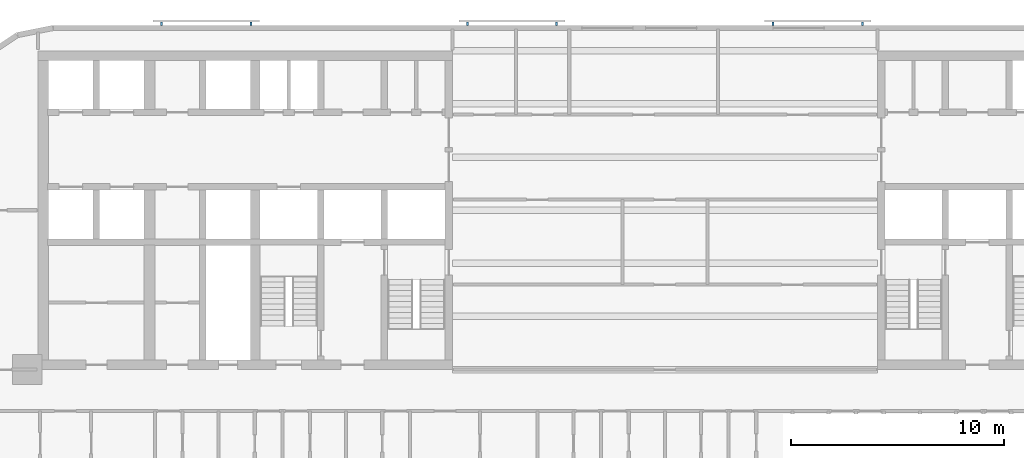
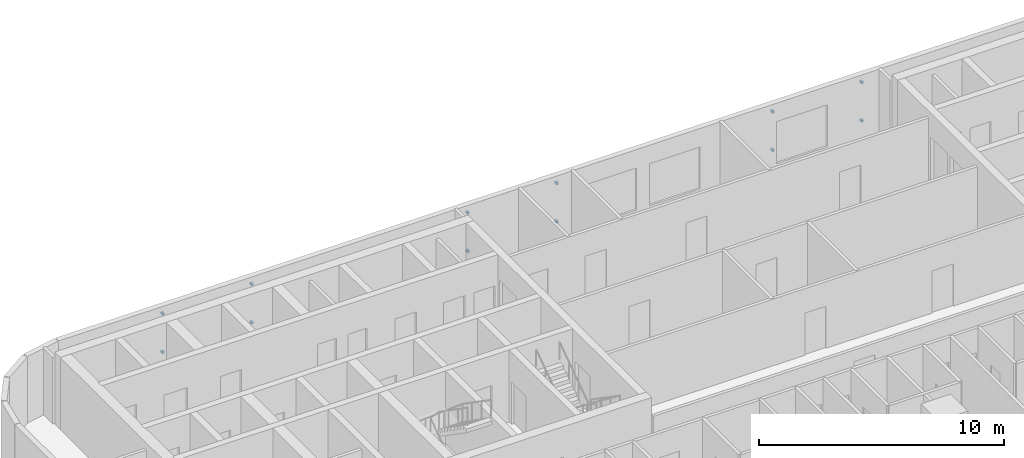
# One storey, part 11 of 15: 12 discrete accessories.
"""IFC4 building model written with IfcOpenShell, lengths in metres."""

from ifc_helpers import new_model, si_unit, direction, frame, origin, origin_2d, place, context, subcontext, project, spatial, rectangle, extrude, material, type_object, element, save


model = new_model("IFC4")

# Units and contexts
model_context = context("Model", 3, precision=1e-05, world=origin(), true_north=direction((0.0, 1.0)))
body_context = subcontext(model_context, "Body", "Model", "MODEL_VIEW")
ifc_project = project(units=[si_unit("LENGTHUNIT", "METRE"), si_unit("AREAUNIT", "SQUARE_METRE"), si_unit("VOLUMEUNIT", "CUBIC_METRE"), si_unit("PLANEANGLEUNIT", "RADIAN"), si_unit("MASSUNIT", "GRAM", prefix="KILO")], contexts=[model_context])

# Site, building, storey
site_placement = place(None, origin())
site = spatial("IfcSite", under=ifc_project, at=site_placement, CompositionType="ELEMENT")
building_placement = place(site_placement, origin())
building = spatial("IfcBuilding", under=site, at=building_placement, Name="Torana Hotel and Residences", CompositionType="ELEMENT")
storey_placement = place(building_placement, frame((0.0, 0.0, 27.60009765625)))
storey = spatial("IfcBuildingStorey", under=building, at=storey_placement, Name="L05", CompositionType="ELEMENT", Elevation=27.60009765625)

# Discrete accessories
ifc_material = material(Name="Steel S355", Category="steel")
discrete_accessory_type = type_object("IfcDiscreteAccessoryType", Name="SCREEN BRACKET 100", PredefinedType="BRACKET", material=ifc_material)
for number, where, z_axis, x_axis, name in (
    (1, (9.293701171875, 1.27490234375, 0.749755859375), (0.0, 0.0, 1.0), (-1.0, 0.0, 0.0), "Screen bracket L05"),
    (2, (9.293701171875, 1.27490234375, 2.669921875), (0.0, 0.0, 1.0), (-1.0, 0.0, 0.0), "Screen bracket L05"),
    (3, (5.09375, 1.27490234375, 0.749755859375), (0.0, 0.0, 1.0), (-1.0, 0.0, 0.0), "Screen bracket L05"),
    (4, (5.09375, 1.27490234375, 2.669921875), (0.0, 0.0, 1.0), (-1.0, 0.0, 0.0), "Screen bracket L05"),
    (5, (-5.09375, 1.27490234375, 0.749755859375), (0.0, 0.0, 1.0), (-1.0, 0.0, 0.0), "Screen bracket L05"),
    (6, (-5.09375, 1.27490234375, 2.669921875), (0.0, 0.0, 1.0), (-1.0, 0.0, 0.0), "Screen bracket L05"),
    (7, (-9.293701171875, 1.27490234375, 0.749755859375), (0.0, 0.0, 1.0), (-1.0, 0.0, 0.0), "Screen bracket L05"),
    (8, (-9.293701171875, 1.27490234375, 2.669921875), (0.0, 0.0, 1.0), (-1.0, 0.0, 0.0), "Screen bracket L05"),
    (9, (-19.4814453125, 1.27490234375, 0.749755859375), (0.0, 0.0, 1.0), (-1.0, 0.0, 0.0), "Screen bracket L05"),
    (10, (-19.4814453125, 1.27490234375, 2.669921875), (0.0, 0.0, 1.0), (-1.0, 0.0, 0.0), "Screen bracket L05"),
    (11, (-23.681396484375, 1.27490234375, 0.749755859375), (0.0, 0.0, 1.0), (-1.0, 0.0, 0.0), "Screen bracket L05"),
    (12, (-23.681396484375, 1.27490234375, 2.669921875), (0.0, 0.0, 1.0), (-1.0, 0.0, 0.0), "Screen bracket L05"),
):
    element("IfcDiscreteAccessory", number, at=place(storey_placement, frame(where, z_axis=z_axis, x_axis=x_axis)), inside=storey, type_object=discrete_accessory_type, Name=name, PredefinedType="BRACKET", context=body_context, shape_type="SweptSolid", body=[
        extrude(rectangle(XDim=0.10009765625, YDim=0.14990234375, at=origin_2d()), origin(), (0.0, 0.0, 1.0), 0.10009765625),
    ])

save(model, "model.ifc")
